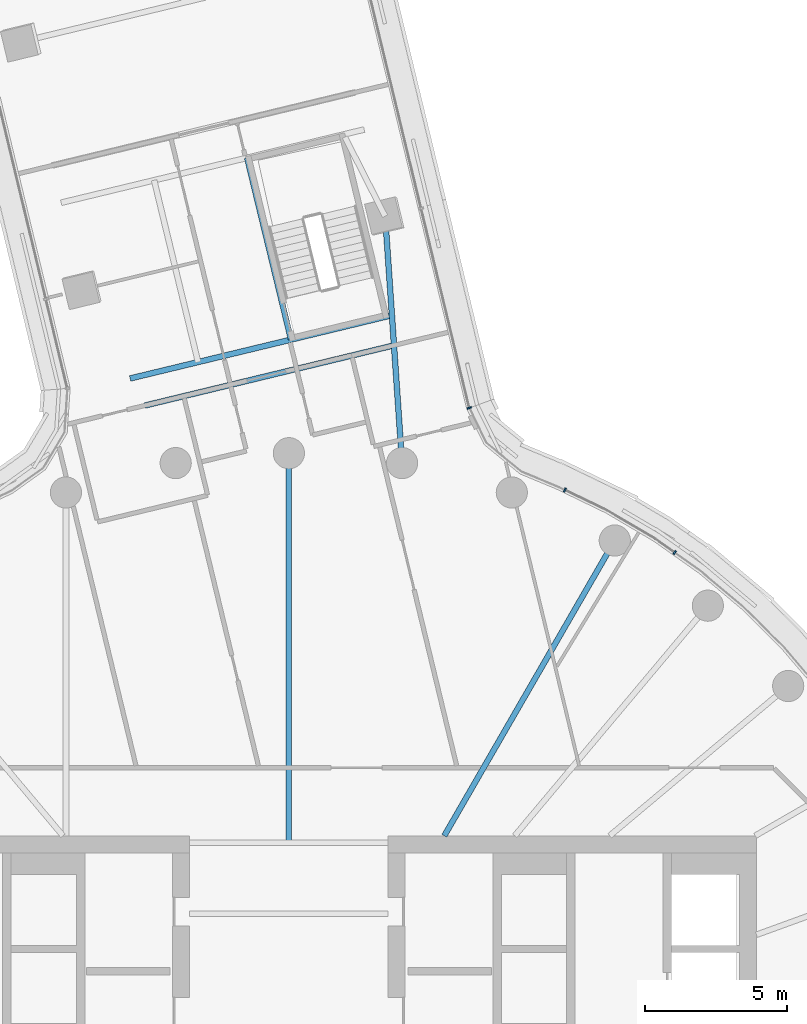
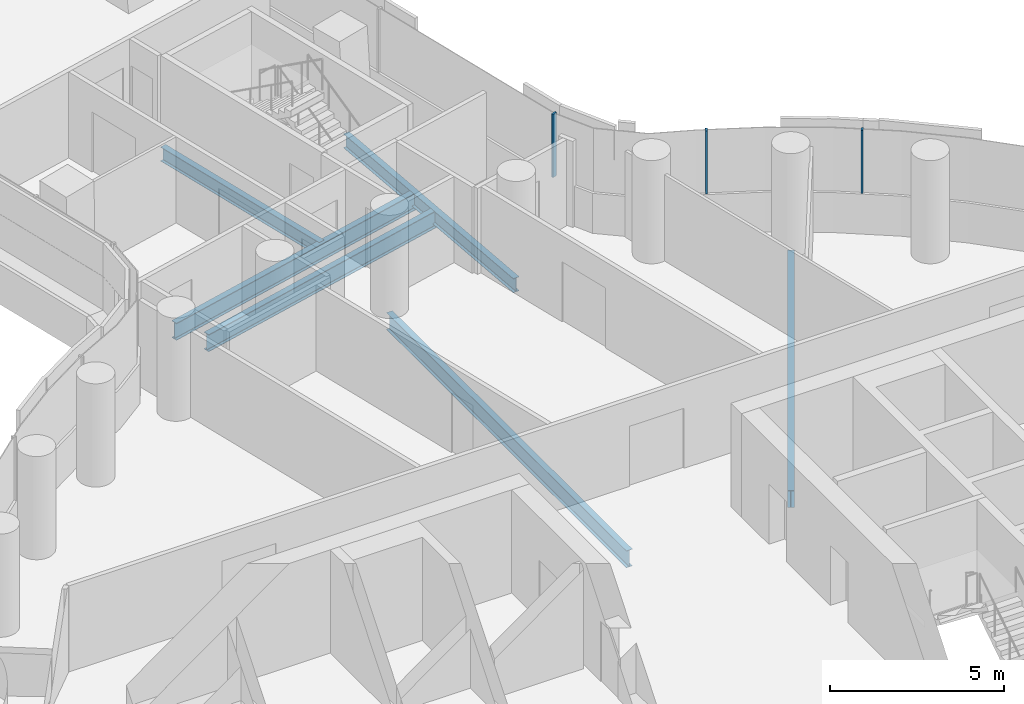
# One storey, part 14 of 33: 6 beams, 3 members, 2 elements without a shape of their own.
"""IFC4 building model written with IfcOpenShell, lengths in metres."""

from ifc_helpers import new_model, si_unit, direction, frame, origin, origin_2d, place, context, subcontext, project, spatial, rectangle, i_section, extrude, material, layer, layer_set, material_profile, profile_set, type_object, element, aggregate, save


model = new_model("IFC4")

# Units and contexts
model_context = context("Model", 3, precision=1e-05, world=origin(), true_north=direction((0.0, 1.0)))
body_context = subcontext(model_context, "Body", "Model", "MODEL_VIEW")
ifc_project = project(units=[si_unit("LENGTHUNIT", "METRE"), si_unit("AREAUNIT", "SQUARE_METRE"), si_unit("VOLUMEUNIT", "CUBIC_METRE"), si_unit("PLANEANGLEUNIT", "RADIAN"), si_unit("MASSUNIT", "GRAM", prefix="KILO")], contexts=[model_context])

# Site, building, storey
site_placement = place(None, origin())
site = spatial("IfcSite", under=ifc_project, at=site_placement, CompositionType="ELEMENT")
building_placement = place(site_placement, origin())
building = spatial("IfcBuilding", under=site, at=building_placement, Name="Tamarind Cross Interchange Tower", CompositionType="ELEMENT")
storey_placement = place(building_placement, frame((0.0, 0.0, 83.5)))
storey = spatial("IfcBuildingStorey", under=building, at=storey_placement, Name="L19", CompositionType="ELEMENT", Elevation=83.5)

# Beams
ifc_material_1 = material(Name="Steel Q355B", Category="steel")
ifc_material_profile_1 = material_profile(ifc_material_1, i_section(OverallWidth=0.198974609375, OverallDepth=0.49609375, WebThickness=0.009033203125, FlangeThickness=0.013916015625, FilletRadius=0.012939453125, at=origin_2d()), Name="HN 496x199x9x14")
ifc_profile_set_1 = profile_set([ifc_material_profile_1], Name="Steel Q355B")
beam_type_1 = type_object("IfcBeamType", Name="Composite beam HN 496x199x9x14 Q355B", PredefinedType="BEAM", material=ifc_profile_set_1)
beam_1_placement = place(storey_placement, frame((3.39697265625, 31.359619140625, -0.387939453125), z_axis=(0.068380718396, -0.997659299236, 0.0), x_axis=(0.997659299236, 0.068380718396, 0.0)))
element("IfcBeam", 1, at=beam_1_placement, inside=storey, type_object=beam_type_1, Name="Beam N-linkem", PredefinedType="BEAM", context=body_context, shape_type="SweptSolid", body=[
    extrude(i_section(OverallWidth=0.198974609375, OverallDepth=0.49609375, WebThickness=0.009033203125, FlangeThickness=0.013916015625, FilletRadius=0.012939453125, at=origin_2d()), origin(), (0.0, 0.0, 1.0), 8.7294921875),
])
beam_2_placement = place(storey_placement, frame((0.076171875, 27.0078125, -0.387939453125), z_axis=(-0.234851455451, 0.972031272065, 0.0), x_axis=(-0.972031272065, -0.234851455451, 0.0)))
element("IfcBeam", 2, at=beam_2_placement, inside=storey, type_object=beam_type_1, Name="Beam N-tr1", PredefinedType="BEAM", context=body_context, shape_type="SweptSolid", body=[
    extrude(i_section(OverallWidth=0.198974609375, OverallDepth=0.49609375, WebThickness=0.009033203125, FlangeThickness=0.013916015625, FilletRadius=0.012939453125, at=origin_2d()), origin(), (0.0, 0.0, 1.0), 6.60009765625),
])
ifc_material_profile_2 = material_profile(ifc_material_1, i_section(OverallWidth=0.198974609375, OverallDepth=0.595947265625, WebThickness=0.010009765625, FlangeThickness=0.014892578125, FilletRadius=0.012939453125, at=origin_2d()), Name="HN 596x199x10x15")
ifc_profile_set_2 = profile_set([ifc_material_profile_2], Name="Steel Q355B")
beam_type_2 = type_object("IfcBeamType", Name="Composite beam HN 596x199x10x15 Q355B", PredefinedType="BEAM", material=ifc_profile_set_2)
beam_3_placement = place(storey_placement, frame((11.5, 19.918701171875, -0.43798828125), z_axis=(-0.499993565836, -0.866029118519, 0.0), x_axis=(0.866029118519, -0.499993565836, 0.0)))
element("IfcBeam", 3, at=beam_3_placement, inside=storey, type_object=beam_type_2, Name="Beam HH06", PredefinedType="BEAM", context=body_context, shape_type="SweptSolid", body=[
    extrude(i_section(OverallWidth=0.198974609375, OverallDepth=0.595947265625, WebThickness=0.010009765625, FlangeThickness=0.014892578125, FilletRadius=0.012939453125, at=origin_2d()), origin(), (0.0, 0.0, 1.0), 12.030517578125),
])
beam_4_placement = place(storey_placement, frame((0.0, 23.0, -0.43798828125), z_axis=(0.0, -1.0, 0.0), x_axis=(1.0, 0.0, 0.0)))
element("IfcBeam", 4, at=beam_4_placement, inside=storey, type_object=beam_type_2, Name="Beam HH09", PredefinedType="BEAM", context=body_context, shape_type="SweptSolid", body=[
    extrude(i_section(OverallWidth=0.198974609375, OverallDepth=0.595947265625, WebThickness=0.010009765625, FlangeThickness=0.014892578125, FilletRadius=0.012939453125, at=origin_2d()), origin(), (0.0, 0.0, 1.0), 13.75),
])
ifc_material_profile_3 = material_profile(ifc_material_1, i_section(OverallWidth=0.199951171875, OverallDepth=0.60009765625, WebThickness=0.010986328125, FlangeThickness=0.01708984375, FilletRadius=0.012939453125, at=origin_2d()), Name="HN 600x200x11x17")
ifc_profile_set_3 = profile_set([ifc_material_profile_3], Name="Steel Q355B")
beam_type_3 = type_object("IfcBeamType", Name="Composite beam HN 600x200x11x17 Q355B", PredefinedType="BEAM", material=ifc_profile_set_3)
beam_5_placement = place(storey_placement, frame((3.63623046875, 27.8681640625, -0.43994140625), z_axis=(-0.972032488832, -0.234846419295, 0.0), x_axis=(0.234846419295, -0.972032488832, 0.0)))
element("IfcBeam", 5, at=beam_5_placement, inside=storey, type_object=beam_type_3, Name="Beam N-x268", PredefinedType="BEAM", context=body_context, shape_type="SweptSolid", body=[
    extrude(i_section(OverallWidth=0.199951171875, OverallDepth=0.60009765625, WebThickness=0.010986328125, FlangeThickness=0.01708984375, FilletRadius=0.012939453125, at=origin_2d()), origin(), (0.0, 0.0, 1.0), 9.5048828125),
])
beam_6_placement = place(storey_placement, frame((3.709228515625, 26.805419921875, -0.43994140625), z_axis=(-0.972035297678, -0.234834793136, 0.0), x_axis=(0.234834793136, -0.972035297678, 0.0)))
element("IfcBeam", 6, at=beam_6_placement, inside=storey, type_object=beam_type_3, Name="Beam N-x258", PredefinedType="BEAM", context=body_context, shape_type="SweptSolid", body=[
    extrude(i_section(OverallWidth=0.199951171875, OverallDepth=0.60009765625, WebThickness=0.010986328125, FlangeThickness=0.01708984375, FilletRadius=0.012939453125, at=origin_2d()), origin(), (0.0, 0.0, 1.0), 9.050048828125),
])

# Curtain wall, member
ifc_material_2 = material(Name="Aluminium 6063-T6", Category="aluminium")
ifc_layer_1 = layer(ifc_material_2, 0.159912109375)
ifc_layer_set_1 = layer_set([ifc_layer_1], Name="Aluminium 6063-T6")
curtain_wall_type_1 = type_object("IfcCurtainWallType", Name="Office curtain wall, 9.0 m bays", PredefinedType="NOTDEFINED", material=ifc_layer_set_1)
curtain_wall_1_placement = place(storey_placement, origin())
curtain_wall_1 = element("IfcCurtainWall", 7, at=curtain_wall_1_placement, inside=storey, type_object=curtain_wall_type_1, Name="CWS-L19-15", PredefinedType="NOTDEFINED")
ifc_material_profile_4 = material_profile(ifc_material_2, rectangle(XDim=0.06005859375, YDim=0.159912109375, at=origin_2d()), Name="Mullion CW1")
ifc_profile_set_4 = profile_set([ifc_material_profile_4], Name="Aluminium 6063-T6")
member_type_1 = type_object("IfcMemberType", Name="Mullion CW1", PredefinedType="MULLION", material=ifc_profile_set_4)
member_1_placement = place(storey_placement, frame((6.3681640625, 24.59716796875, 1.39990234375), z_axis=(0.0, 0.0, 1.0), x_axis=(-0.339404640198, 0.940640468092, 0.0)))
member_1 = element("IfcMember", 8, at=member_1_placement, type_object=member_type_1, Name="CWM-L19-15-00", PredefinedType="MULLION", context=body_context, shape_type="SweptSolid", body=[
    extrude(rectangle(XDim=0.06005859375, YDim=0.159912109375, at=origin_2d()), origin(), (0.0, 0.0, 1.0), 2.210205078125),
])
aggregate(curtain_wall_1, [member_1])

# Curtain wall, members
ifc_layer_2 = layer(ifc_material_2, 0.14990234375)
ifc_layer_set_2 = layer_set([ifc_layer_2], Name="Aluminium 6063-T6")
curtain_wall_type_2 = type_object("IfcCurtainWallType", Name="Winter garden and crown curtain wall", PredefinedType="NOTDEFINED", material=ifc_layer_set_2)
curtain_wall_2_placement = place(storey_placement, origin())
curtain_wall_2 = element("IfcCurtainWall", 9, at=curtain_wall_2_placement, inside=storey, type_object=curtain_wall_type_2, Name="CWS-L19-14", PredefinedType="NOTDEFINED")
ifc_material_profile_5 = material_profile(ifc_material_2, rectangle(XDim=0.06005859375, YDim=0.14990234375, at=origin_2d()), Name="Mullion CW6")
ifc_profile_set_5 = profile_set([ifc_material_profile_5], Name="Aluminium 6063-T6")
member_type_2 = type_object("IfcMemberType", Name="Mullion CW6", PredefinedType="MULLION", material=ifc_profile_set_5)
member_2_placement = place(storey_placement, frame((13.614013671875, 19.4921875, 1.39990234375), z_axis=(0.0, 0.0, 1.0), x_axis=(-0.816341886298, 0.577568978284, 0.0)))
member_2 = element("IfcMember", 10, at=member_2_placement, type_object=member_type_2, Name="CWM-L19-14-03", PredefinedType="MULLION", context=body_context, shape_type="SweptSolid", body=[
    extrude(rectangle(XDim=0.06005859375, YDim=0.14990234375, at=origin_2d()), origin(), (0.0, 0.0, 1.0), 2.210205078125),
])
member_3_placement = place(storey_placement, frame((9.737548828125, 21.700439453125, 1.39990234375), z_axis=(0.0, 0.0, 1.0), x_axis=(-0.900272776334, 0.435326231914, 0.0)))
member_3 = element("IfcMember", 11, at=member_3_placement, type_object=member_type_2, Name="CWM-L19-14-04", PredefinedType="MULLION", context=body_context, shape_type="SweptSolid", body=[
    extrude(rectangle(XDim=0.06005859375, YDim=0.14990234375, at=origin_2d()), origin(), (0.0, 0.0, 1.0), 2.210205078125),
])
aggregate(curtain_wall_2, [member_2, member_3])

save(model, "model.ifc")
